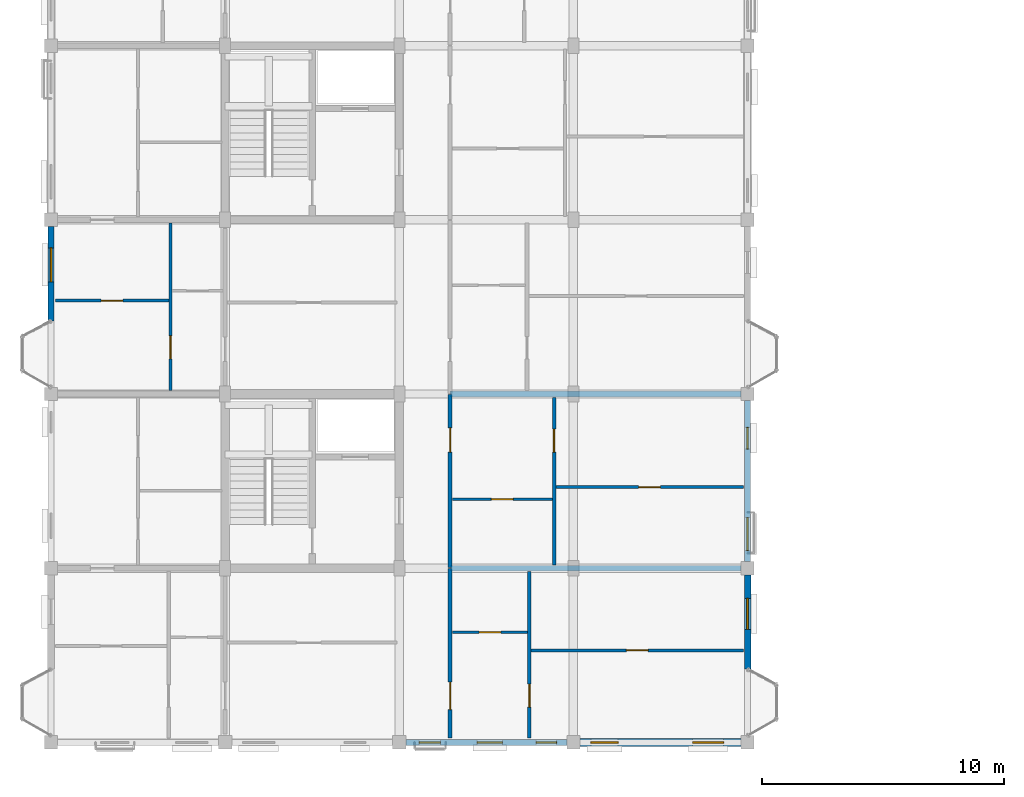
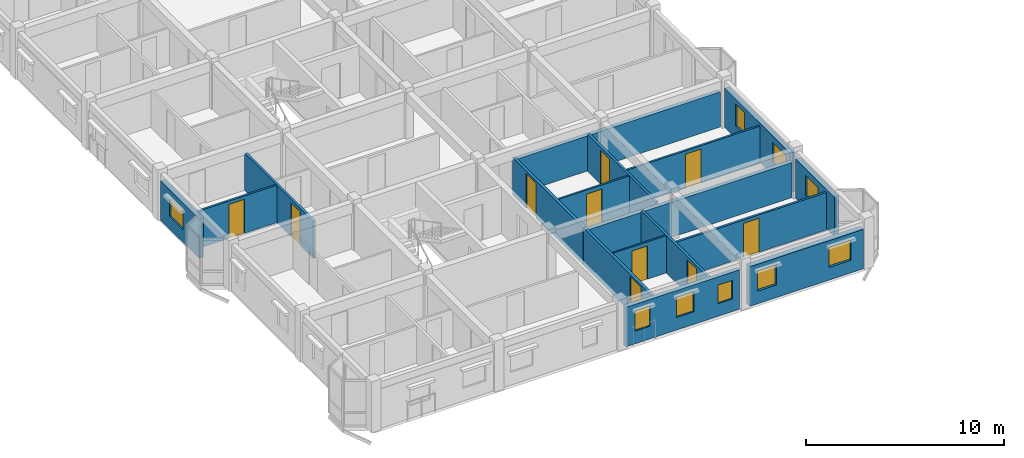
# One storey, part 51 of 79: 17 walls, 10 doors, 9 windows, 19 openings.
"""IFC4 building model written with IfcOpenShell, lengths in metres."""

import ifcopenshell
import ifcopenshell.guid

model = None  # the IFC model being written
_history = None  # IfcOwnerHistory: only IFC2X3 demands one
_inside = {}  # id of a spatial element -> (the spatial element, [elements in it])
_under = {}  # id of a project, library or spatial element -> (it, [spatial elements below it])
_declared = {}  # id of a project -> (the project, [libraries it declares])
_typed = {}  # id of a type object -> (the type object, [elements of that type])
_made_of = {}  # id of a material, layer set ... -> (it, [elements and type objects made of it])


def new_model(schema):
    """Start an empty IFC model of exactly this schema.

    Asked for "IFC4X3", IfcOpenShell would pick the latest addendum, in which some entities
    have other attributes; the version numbers below select the first issue.
    IFC2X3 requires an IfcOwnerHistory on every rooted entity: one is made here for all.
    """
    global model, _history
    if schema == "IFC4X3":
        model = ifcopenshell.file(schema_version=(4, 3, 0, 0))
    else:
        model = ifcopenshell.file(schema=schema)
    _inside.clear()
    _under.clear()
    _declared.clear()
    _typed.clear()
    _made_of.clear()
    _history = None
    if model.schema == "IFC2X3":
        org = make("IfcOrganization", Name="unknown")
        user = make(
            "IfcPersonAndOrganization",
            ThePerson=make("IfcPerson", FamilyName="unknown"),
            TheOrganization=org,
        )
        app = make(
            "IfcApplication",
            ApplicationDeveloper=org,
            Version="unknown",
            ApplicationFullName="unknown",
            ApplicationIdentifier="unknown",
        )
        _history = make(
            "IfcOwnerHistory",
            OwningUser=user,
            OwningApplication=app,
            ChangeAction="ADDED",
            CreationDate=0,
        )
    return model


def make(cls, **values):
    """One entity of the class cls with the attributes given. An attribute that is None is left unset."""
    return model.create_entity(
        cls, **{name: value for name, value in values.items() if value is not None}
    )


def rooted(cls, **values):
    """An entity with a GlobalId (a new one), such as an element, a storey or a relation."""
    return make(cls, GlobalId=ifcopenshell.guid.new(), OwnerHistory=_history, **values)


def si_unit(unit_type, name, prefix=None):
    """IfcSIUnit, for example si_unit("LENGTHUNIT", "METRE", prefix="MILLI")."""
    return make("IfcSIUnit", UnitType=unit_type, Prefix=prefix, Name=name)


def assignment(units):
    """IfcUnitAssignment: the units of a project."""
    return None if units is None else make("IfcUnitAssignment", Units=units)


def point(xyz):
    """IfcCartesianPoint."""
    return None if xyz is None else make("IfcCartesianPoint", Coordinates=xyz)


def direction(xyz):
    """IfcDirection."""
    return None if xyz is None else make("IfcDirection", DirectionRatios=xyz)


def frame(location, z_axis=None, x_axis=None):
    """IfcAxis2Placement3D, a coordinate frame: its origin and axes. An axis left out is left unset."""
    return make(
        "IfcAxis2Placement3D",
        Location=point(location),
        Axis=direction(z_axis),
        RefDirection=direction(x_axis),
    )


def frame_2d(location, x_axis=None):
    """IfcAxis2Placement2D, a coordinate frame in the plane: its origin and x axis."""
    return make(
        "IfcAxis2Placement2D", Location=point(location), RefDirection=direction(x_axis)
    )


def origin():
    """The frame at (0, 0, 0) with its axes left unset."""
    return frame((0.0, 0.0, 0.0))


def place(relative_to, where):
    """IfcLocalPlacement: puts the frame where relative to a parent placement (None: the world)."""
    return make(
        "IfcLocalPlacement", PlacementRelTo=relative_to, RelativePlacement=where
    )


def context(
    kind, dimensions, precision=None, world=None, true_north=None, identifier=None
):
    """IfcGeometricRepresentationContext, for example the 3D "Model" context."""
    return make(
        "IfcGeometricRepresentationContext",
        ContextIdentifier=identifier,
        ContextType=kind,
        CoordinateSpaceDimension=dimensions,
        Precision=precision,
        WorldCoordinateSystem=world,
        TrueNorth=true_north,
    )


def subcontext(parent, identifier, kind, view, scale=None):
    """IfcGeometricRepresentationSubContext, for example "Body" below "Model"."""
    return make(
        "IfcGeometricRepresentationSubContext",
        ContextIdentifier=identifier,
        ContextType=kind,
        ParentContext=parent,
        TargetScale=scale,
        TargetView=view,
    )


def project(units=None, contexts=None):
    """IfcProject with its units and contexts."""
    return rooted(
        "IfcProject",
        Name="project",
        RepresentationContexts=contexts,
        UnitsInContext=assignment(units),
    )


def spatial(cls, under=None, at=None, **own):
    """A site, building, storey or space (cls), placed at a placement, below another one or the project."""
    s = rooted(cls, ObjectPlacement=at, **own)
    if under is not None:
        _under.setdefault(under.id(), (under, []))[1].append(s)
    return s


def profile(cls, at=None, kind="AREA", **sizes):
    """A parametric profile (cls). Its sizes go by their IFC names, for example OverallWidth=200.0."""
    return make(cls, ProfileType=kind, Position=at, **sizes)


def rectangle(**sizes):
    """IfcRectangleProfileDef."""
    return profile("IfcRectangleProfileDef", **sizes)


def extrude(swept, where, along, depth):
    """IfcExtrudedAreaSolid: the profile swept, set in the frame where, extruded along a direction by depth."""
    return make(
        "IfcExtrudedAreaSolid",
        SweptArea=swept,
        Position=where,
        ExtrudedDirection=direction(along),
        Depth=depth,
    )


def shape(context_of_items, identifier, shape_type, items):
    """IfcShapeRepresentation: the items that make up one representation, for example the "Body"."""
    return make(
        "IfcShapeRepresentation",
        ContextOfItems=context_of_items,
        RepresentationIdentifier=identifier,
        RepresentationType=shape_type,
        Items=items,
    )


def material(Name=None, Category=None):
    """IfcMaterial."""
    return make("IfcMaterial", Name=Name, Category=Category)


def layer(
    of_material, thickness, ventilated=None, Name=None, Category=None, Priority=None
):
    """IfcMaterialLayer: one layer of a wall or slab, of a material (None: an air gap)."""
    return make(
        "IfcMaterialLayer",
        Material=of_material,
        LayerThickness=thickness,
        IsVentilated=ventilated,
        Name=Name,
        Category=Category,
        Priority=Priority,
    )


def layer_set(layers, Name=None):
    """IfcMaterialLayerSet."""
    return make("IfcMaterialLayerSet", MaterialLayers=layers, LayerSetName=Name)


def made_of(thing, what):
    """Note that an element or type object is made of a material, layer set ...; save() writes the relation."""
    if what is not None:
        _made_of.setdefault(what.id(), (what, []))[1].append(thing)
    return thing


def type_object(cls, material=None, **own):
    """A type object (cls), such as IfcWallType, which elements share."""
    return made_of(rooted(cls, **own), material)


def element(
    cls,
    number,
    at=None,
    inside=None,
    cuts=None,
    type_object=None,
    material=None,
    context=None,
    identifier="Body",
    shape_type=None,
    held_by="IfcProductDefinitionShape",
    body=None,
    shapes=None,
    **own,
):
    """One element of the class cls, such as IfcWall. Its Tag is "e" and its number.

    at: its placement. inside: the storey or other place that contains it. cuts: it is an
    opening in that element (IfcRelVoidsElement). A single representation is given by context,
    identifier, shape_type and body (its items); several are given by shapes. held_by: the class
    of the entity that holds the representations. save() writes the other relations.
    """
    e = rooted(cls, Tag="e%d" % number, ObjectPlacement=at, **own)
    if body is not None:
        shapes = [shape(context, identifier, shape_type, body)]
    if shapes is not None:
        e.Representation = make(held_by, Representations=shapes)
    if inside is not None:
        _inside.setdefault(inside.id(), (inside, []))[1].append(e)
    if cuts is not None:
        rooted(
            "IfcRelVoidsElement", RelatingBuildingElement=cuts, RelatedOpeningElement=e
        )
    if type_object is not None:
        _typed.setdefault(type_object.id(), (type_object, []))[1].append(e)
    return made_of(e, material)


def fill(opening, filler):
    """IfcRelFillsElement: the door or window that sits in an opening."""
    return rooted(
        "IfcRelFillsElement",
        RelatingOpeningElement=opening,
        RelatedBuildingElement=filler,
    )


def aggregate(whole, parts):
    """IfcRelAggregates: a whole, such as a stair, and the parts it consists of."""
    return rooted("IfcRelAggregates", RelatingObject=whole, RelatedObjects=parts)


def save(model, path):
    """Write the relations noted so far, then the file.

    IfcRelAggregates (storeys below a building ...), IfcRelContainedInSpatialStructure (elements
    in a storey), IfcRelDefinesByType, IfcRelAssociatesMaterial and IfcRelDeclares: one each for
    every whole, place, type object, material and project.
    """
    for whole, parts in _under.values():
        aggregate(whole, parts)
    for where, things in _inside.values():
        rooted(
            "IfcRelContainedInSpatialStructure",
            RelatedElements=things,
            RelatingStructure=where,
        )
    for kind, things in _typed.values():
        rooted("IfcRelDefinesByType", RelatedObjects=things, RelatingType=kind)
    for what, things in _made_of.values():
        rooted("IfcRelAssociatesMaterial", RelatedObjects=things, RelatingMaterial=what)
    for by, libraries in _declared.values():
        rooted("IfcRelDeclares", RelatingContext=by, RelatedDefinitions=libraries)
    model.write(path)


model = new_model("IFC4")

# Units and contexts
model_context = context("Model", 3, precision=1e-05, world=origin(), true_north=direction((0.0, 1.0)))
body_context = subcontext(model_context, "Body", "Model", "MODEL_VIEW")
ifc_project = project(units=[si_unit("LENGTHUNIT", "METRE"), si_unit("AREAUNIT", "SQUARE_METRE"), si_unit("VOLUMEUNIT", "CUBIC_METRE"), si_unit("PLANEANGLEUNIT", "RADIAN"), si_unit("MASSUNIT", "GRAM", prefix="KILO"), si_unit("THERMODYNAMICTEMPERATUREUNIT", "KELVIN"), si_unit("POWERUNIT", "WATT")], contexts=[model_context])

# Site, building, storey
site_placement = place(None, origin())
site = spatial("IfcSite", under=ifc_project, at=site_placement, CompositionType="ELEMENT")
building_placement = place(site_placement, origin())
building = spatial("IfcBuilding", under=site, at=building_placement, Name="Tavuni Mirador Residences", CompositionType="ELEMENT")
storey_placement = place(building_placement, frame((0.0, 0.0, 13.949951171875)))
storey = spatial("IfcBuildingStorey", under=building, at=storey_placement, Name="L04", CompositionType="ELEMENT", Elevation=13.949951171875)

# Wall, opening, door
ifc_material_1 = material(Name="Precast concrete C40/50", Category="concrete")
ifc_layer_1 = layer(ifc_material_1, 0.1650390625, Name="Precast concrete C40/50", Category="concrete")
ifc_layer_set_1 = layer_set([ifc_layer_1], Name="Precast concrete C40/50")
wall_type_1 = type_object("IfcWallType", Name="WT-CORR165", PredefinedType="PARTITIONING", material=ifc_layer_set_1)
wall_1_placement = place(storey_placement, frame((20.10009765625, 7.375, 0.0), z_axis=(0.0, 0.0, 1.0), x_axis=(0.0, 1.0, 0.0)))
wall_1 = element("IfcWall", 1, at=wall_1_placement, inside=storey, type_object=wall_type_1, Name="CORW-BLK-A-L04-0-00", PredefinedType="PARTITIONING", context=body_context, shape_type="SweptSolid", body=[
    extrude(rectangle(XDim=7.0048828125, YDim=0.1650390625, at=frame_2d((3.50244140625, 0.0))), origin(), (0.0, 0.0, 1.0), 2.304931640625),
])
opening_1_placement = place(wall_1_placement, frame((1.175048828125, 0.0, 0.0)))
opening_1 = element("IfcOpeningElement", 2, at=opening_1_placement, cuts=wall_1, Name="Opening D-20", PredefinedType="OPENING", context=body_context, shape_type="SweptSolid", body=[
    extrude(rectangle(XDim=1.139892578125, YDim=2.179931640625, at=frame_2d((0.56982421875, 1.08984375))), frame((0.0, 0.092529296875, 0.0), z_axis=(0.0, -1.0, 0.0), x_axis=(1.0, 0.0, 0.0)), (0.0, 0.0, 1.0), 0.18505859375),
])
ifc_material_2 = material(Name="Solid core iroko timber", Category="wood")
door_type_1 = type_object("IfcDoorType", Name="DT-FD60-1140", OperationType="NOTDEFINED", PredefinedType="DOOR", material=ifc_material_2)
door_1_placement = place(opening_1_placement, origin())
door_1 = element("IfcDoor", 3, at=door_1_placement, inside=storey, type_object=door_type_1, Name="DR-2423", OperationType="SINGLE_SWING_RIGHT", OverallHeight=2.179931640625, OverallWidth=1.139892578125, PredefinedType="DOOR", context=body_context, shape_type="SweptSolid", body=[
    extrude(rectangle(XDim=1.139892578125, YDim=2.179931640625, at=frame_2d((0.56982421875, 1.08984375))), frame((0.0, 0.02490234375, 0.0), z_axis=(0.0, -1.0, 0.0), x_axis=(1.0, 0.0, 0.0)), (0.0, 0.0, 1.0), 0.050048828125),
])
fill(opening_1, door_1)

wall_2_placement = place(storey_placement, frame((20.10009765625, 14.419921875, 0.0), z_axis=(0.0, 0.0, 1.0), x_axis=(0.0, 1.0, 0.0)))
wall_2 = element("IfcWall", 4, at=wall_2_placement, inside=storey, type_object=wall_type_1, Name="CORW-BLK-A-L04-0-01", PredefinedType="PARTITIONING", context=body_context, shape_type="SweptSolid", body=[
    extrude(rectangle(XDim=7.16015625, YDim=0.1650390625, at=frame_2d((3.580078125, 0.0))), origin(), (0.0, 0.0, 1.0), 2.304931640625),
])
opening_2_placement = place(wall_2_placement, frame((4.780029296875, 0.0, 0.0)))
opening_2 = element("IfcOpeningElement", 5, at=opening_2_placement, cuts=wall_2, Name="Opening D-03", PredefinedType="OPENING", context=body_context, shape_type="SweptSolid", body=[
    extrude(rectangle(XDim=1.0, YDim=2.14990234375, at=frame_2d((0.5, 1.074951171875))), frame((0.0, 0.092529296875, 0.0), z_axis=(0.0, -1.0, 0.0), x_axis=(1.0, 0.0, 0.0)), (0.0, 0.0, 1.0), 0.18505859375),
])
door_type_2 = type_object("IfcDoorType", Name="DT-FD60-1000", OperationType="NOTDEFINED", PredefinedType="DOOR", material=ifc_material_2)
door_2_placement = place(opening_2_placement, origin())
door_2 = element("IfcDoor", 6, at=door_2_placement, inside=storey, type_object=door_type_2, Name="DR-2424", OperationType="SINGLE_SWING_LEFT", OverallHeight=2.14990234375, OverallWidth=1.0, PredefinedType="DOOR", context=body_context, shape_type="SweptSolid", body=[
    extrude(rectangle(XDim=1.0, YDim=2.14990234375, at=frame_2d((0.5, 1.074951171875))), frame((0.0, 0.02490234375, 0.0), z_axis=(0.0, -1.0, 0.0), x_axis=(1.0, 0.0, 0.0)), (0.0, 0.0, 1.0), 0.050048828125),
])
fill(opening_2, door_2)

# Wall, openings, windows
ifc_layer_2 = layer(ifc_material_1, 0.330078125, Name="Precast concrete C40/50", Category="concrete")
ifc_layer_set_2 = layer_set([ifc_layer_2], Name="Precast concrete C40/50")
wall_type_2 = type_object("IfcWallType", Name="WT-EXT-COR330", PredefinedType="SOLIDWALL", material=ifc_layer_set_2)
wall_3_placement = place(storey_placement, frame((25.47509765625, 7.199951171875, 0.0), z_axis=(0.0, 0.0, 1.0), x_axis=(1.0, 0.0, 0.0)))
wall_3 = element("IfcWall", 7, at=wall_3_placement, inside=storey, type_object=wall_type_2, Name="EW-BLK-A-L04-S03", PredefinedType="SOLIDWALL", context=body_context, shape_type="SweptSolid", body=[
    extrude(rectangle(XDim=6.64990234375, YDim=0.330078125, at=frame_2d((3.324951171875, 0.0))), origin(), (0.0, 0.0, 1.0), 2.43994140625),
])
opening_3_placement = place(wall_3_placement, frame((0.449951171875, 0.0, 0.780029296875)))
opening_3 = element("IfcOpeningElement", 8, at=opening_3_placement, cuts=wall_3, Name="Opening WN-12", PredefinedType="OPENING", context=body_context, shape_type="SweptSolid", body=[
    extrude(rectangle(XDim=1.1201171875, YDim=1.260009765625, at=frame_2d((0.56005859375, 0.6298828125))), frame((0.0, 0.175048828125, 0.0), z_axis=(0.0, -1.0, 0.0), x_axis=(1.0, 0.0, 0.0)), (0.0, 0.0, 1.0), 0.35009765625),
])
opening_4_placement = place(wall_3_placement, frame((4.64990234375, 0.0, 0.780029296875)))
opening_4 = element("IfcOpeningElement", 9, at=opening_4_placement, cuts=wall_3, Name="Opening WN-14", PredefinedType="OPENING", context=body_context, shape_type="SweptSolid", body=[
    extrude(rectangle(XDim=1.280029296875, YDim=1.260009765625, at=frame_2d((0.64013671875, 0.6298828125))), frame((0.0, 0.175048828125, 0.0), z_axis=(0.0, -1.0, 0.0), x_axis=(1.0, 0.0, 0.0)), (0.0, 0.0, 1.0), 0.35009765625),
])
ifc_material_3 = material(Name="Laminated solar-control glass", Category="glass")
window_type_1 = type_object("IfcWindowType", Name="WNT-12", PartitioningType="SINGLE_PANEL", PredefinedType="WINDOW", material=ifc_material_3)
window_1_placement = place(opening_3_placement, origin())
window_1 = element("IfcWindow", 10, at=window_1_placement, inside=storey, type_object=window_type_1, Name="WIN-0157", OverallHeight=1.260009765625, OverallWidth=1.1201171875, PartitioningType="SINGLE_PANEL", PredefinedType="WINDOW", context=body_context, shape_type="SweptSolid", body=[
    extrude(rectangle(XDim=1.1201171875, YDim=1.260009765625, at=frame_2d((0.56005859375, 0.6298828125))), frame((0.0, 0.030029296875, 0.0), z_axis=(0.0, -1.0, 0.0), x_axis=(1.0, 0.0, 0.0)), (0.0, 0.0, 1.0), 0.06005859375),
])
fill(opening_3, window_1)
window_type_2 = type_object("IfcWindowType", Name="WNT-14", PartitioningType="SINGLE_PANEL", PredefinedType="WINDOW", material=ifc_material_3)
window_2_placement = place(opening_4_placement, origin())
window_2 = element("IfcWindow", 11, at=window_2_placement, inside=storey, type_object=window_type_2, Name="WIN-0158", OverallHeight=1.260009765625, OverallWidth=1.280029296875, PartitioningType="SINGLE_PANEL", PredefinedType="WINDOW", context=body_context, shape_type="SweptSolid", body=[
    extrude(rectangle(XDim=1.280029296875, YDim=1.260009765625, at=frame_2d((0.64013671875, 0.6298828125))), frame((0.0, 0.030029296875, 0.0), z_axis=(0.0, -1.0, 0.0), x_axis=(1.0, 0.0, 0.0)), (0.0, 0.0, 1.0), 0.06005859375),
])
fill(opening_4, window_2)

ifc_material_4 = material(Name="Sgraffito lime-rendered precast concrete C40/50", Category="concrete")
ifc_layer_3 = layer(ifc_material_4, 0.2451171875, Name="Sgraffito lime-rendered precast concrete C40/50", Category="concrete")
ifc_layer_set_3 = layer_set([ifc_layer_3], Name="Sgraffito lime-rendered precast concrete C40/50")
wall_type_3 = type_object("IfcWallType", Name="WT-EXT-PC245", PredefinedType="SOLIDWALL", material=ifc_layer_set_3)
wall_4_placement = place(storey_placement, frame((18.27490234375, 7.199951171875, 0.0), z_axis=(0.0, 0.0, 1.0), x_axis=(1.0, 0.0, 0.0)))
wall_4 = element("IfcWall", 12, at=wall_4_placement, inside=storey, type_object=wall_type_3, Name="EW-BLK-A-L04-S02", PredefinedType="SOLIDWALL", context=body_context, shape_type="SweptSolid", body=[
    extrude(rectangle(XDim=6.650146484375, YDim=0.2451171875, at=frame_2d((3.3251953125, 0.0))), origin(), (0.0, 0.0, 1.0), 2.43994140625),
])
opening_5_placement = place(wall_4_placement, frame((0.54248046875, 0.0, 0.780029296875)))
opening_5 = element("IfcOpeningElement", 13, at=opening_5_placement, cuts=wall_4, Name="Opening WN-09", PredefinedType="OPENING", context=body_context, shape_type="SweptSolid", body=[
    extrude(rectangle(XDim=0.8798828125, YDim=1.260009765625, at=frame_2d((0.43994140625, 0.6298828125))), frame((0.0, 0.132568359375, 0.0), z_axis=(0.0, -1.0, 0.0), x_axis=(1.0, 0.0, 0.0)), (0.0, 0.0, 1.0), 0.26513671875),
])
opening_6_placement = place(wall_4_placement, frame((2.945068359375, 0.0, 0.780029296875)))
opening_6 = element("IfcOpeningElement", 14, at=opening_6_placement, cuts=wall_4, Name="Opening WN-11", PredefinedType="OPENING", context=body_context, shape_type="SweptSolid", body=[
    extrude(rectangle(XDim=1.0400390625, YDim=1.260009765625, at=frame_2d((0.52001953125, 0.6298828125))), frame((0.0, 0.132568359375, 0.0), z_axis=(0.0, -1.0, 0.0), x_axis=(1.0, 0.0, 0.0)), (0.0, 0.0, 1.0), 0.26513671875),
])
opening_7_placement = place(wall_4_placement, frame((5.382568359375, 0.0, 0.780029296875)))
opening_7 = element("IfcOpeningElement", 15, at=opening_7_placement, cuts=wall_4, Name="Opening WN-01", PredefinedType="OPENING", context=body_context, shape_type="SweptSolid", body=[
    extrude(rectangle(XDim=0.85009765625, YDim=1.14990234375, at=frame_2d((0.425048828125, 0.574951171875))), frame((0.0, 0.132568359375, 0.0), z_axis=(0.0, -1.0, 0.0), x_axis=(1.0, 0.0, 0.0)), (0.0, 0.0, 1.0), 0.26513671875),
])
window_type_3 = type_object("IfcWindowType", Name="WNT-01", PartitioningType="SINGLE_PANEL", PredefinedType="WINDOW", material=ifc_material_3)
window_3_placement = place(opening_7_placement, origin())
window_3 = element("IfcWindow", 16, at=window_3_placement, inside=storey, type_object=window_type_3, Name="WIN-0156", OverallHeight=1.14990234375, OverallWidth=0.85009765625, PartitioningType="SINGLE_PANEL", PredefinedType="WINDOW", context=body_context, shape_type="SweptSolid", body=[
    extrude(rectangle(XDim=0.85009765625, YDim=1.14990234375, at=frame_2d((0.425048828125, 0.574951171875))), frame((0.0, 0.030029296875, 0.0), z_axis=(0.0, -1.0, 0.0), x_axis=(1.0, 0.0, 0.0)), (0.0, 0.0, 1.0), 0.06005859375),
])
fill(opening_7, window_3)
window_type_4 = type_object("IfcWindowType", Name="WNT-09", PartitioningType="SINGLE_PANEL", PredefinedType="WINDOW", material=ifc_material_3)
window_4_placement = place(opening_5_placement, origin())
window_4 = element("IfcWindow", 17, at=window_4_placement, inside=storey, type_object=window_type_4, Name="WIN-0154", OverallHeight=1.260009765625, OverallWidth=0.8798828125, PartitioningType="SINGLE_PANEL", PredefinedType="WINDOW", context=body_context, shape_type="SweptSolid", body=[
    extrude(rectangle(XDim=0.8798828125, YDim=1.260009765625, at=frame_2d((0.43994140625, 0.6298828125))), frame((0.0, 0.030029296875, 0.0), z_axis=(0.0, -1.0, 0.0), x_axis=(1.0, 0.0, 0.0)), (0.0, 0.0, 1.0), 0.06005859375),
])
fill(opening_5, window_4)
window_type_5 = type_object("IfcWindowType", Name="WNT-11", PartitioningType="SINGLE_PANEL", PredefinedType="WINDOW", material=ifc_material_3)
window_5_placement = place(opening_6_placement, origin())
window_5 = element("IfcWindow", 18, at=window_5_placement, inside=storey, type_object=window_type_5, Name="WIN-0155", OverallHeight=1.260009765625, OverallWidth=1.0400390625, PartitioningType="SINGLE_PANEL", PredefinedType="WINDOW", context=body_context, shape_type="SweptSolid", body=[
    extrude(rectangle(XDim=1.0400390625, YDim=1.260009765625, at=frame_2d((0.52001953125, 0.6298828125))), frame((0.0, 0.030029296875, 0.0), z_axis=(0.0, -1.0, 0.0), x_axis=(1.0, 0.0, 0.0)), (0.0, 0.0, 1.0), 0.06005859375),
])
fill(opening_6, window_5)

# Wall, opening, window
wall_5_placement = place(storey_placement, frame((3.60009765625, 28.52490234375, 0.0), z_axis=(0.0, 0.0, 1.0), x_axis=(0.0, -1.0, 0.0)))
wall_5 = element("IfcWall", 19, at=wall_5_placement, inside=storey, type_object=wall_type_3, Name="EW-BLK-A-L04-W02", PredefinedType="SOLIDWALL", context=body_context, shape_type="SweptSolid", body=[
    extrude(rectangle(XDim=3.90478515625, YDim=0.2451171875, at=frame_2d((1.952392578125, 0.0))), origin(), (0.0, 0.0, 1.0), 2.43994140625),
])
opening_8_placement = place(wall_5_placement, frame((0.887451171875, 0.0, 0.780029296875)))
opening_8 = element("IfcOpeningElement", 20, at=opening_8_placement, cuts=wall_5, Name="Opening WN-08", PredefinedType="OPENING", context=body_context, shape_type="SweptSolid", body=[
    extrude(rectangle(XDim=1.39990234375, YDim=1.14990234375, at=frame_2d((0.699951171875, 0.574951171875))), frame((0.0, 0.132568359375, 0.0), z_axis=(0.0, -1.0, 0.0), x_axis=(1.0, 0.0, 0.0)), (0.0, 0.0, 1.0), 0.26513671875),
])
window_type_6 = type_object("IfcWindowType", Name="WNT-08", PartitioningType="SINGLE_PANEL", PredefinedType="WINDOW", material=ifc_material_3)
window_6_placement = place(opening_8_placement, origin())
window_6 = element("IfcWindow", 21, at=window_6_placement, inside=storey, type_object=window_type_6, Name="WIN-0183", OverallHeight=1.14990234375, OverallWidth=1.39990234375, PartitioningType="SINGLE_PANEL", PredefinedType="WINDOW", context=body_context, shape_type="SweptSolid", body=[
    extrude(rectangle(XDim=1.39990234375, YDim=1.14990234375, at=frame_2d((0.699951171875, 0.574951171875))), frame((0.0, 0.030029296875, 0.0), z_axis=(0.0, -1.0, 0.0), x_axis=(1.0, 0.0, 0.0)), (0.0, 0.0, 1.0), 0.06005859375),
])
fill(opening_8, window_6)

# Wall, openings, windows
ifc_layer_4 = layer(ifc_material_4, 0.2548828125, Name="Sgraffito lime-rendered precast concrete C40/50", Category="concrete")
ifc_layer_set_4 = layer_set([ifc_layer_4], Name="Sgraffito lime-rendered precast concrete C40/50")
wall_type_4 = type_object("IfcWallType", Name="WT-EXT-PC255", PredefinedType="SOLIDWALL", material=ifc_layer_set_4)
wall_6_placement = place(storey_placement, frame((32.39990234375, 14.675048828125, 0.0), z_axis=(0.0, 0.0, 1.0), x_axis=(0.0, 1.0, 0.0)))
wall_6 = element("IfcWall", 22, at=wall_6_placement, inside=storey, type_object=wall_type_4, Name="EW-BLK-A-L04-E01", PredefinedType="SOLIDWALL", context=body_context, shape_type="SweptSolid", body=[
    extrude(rectangle(XDim=6.64990234375, YDim=0.2548828125, at=frame_2d((3.324951171875, 0.0))), origin(), (0.0, 0.0, 1.0), 2.43994140625),
])
opening_9_placement = place(wall_6_placement, frame((0.449951171875, 0.0, 0.780029296875)))
opening_9 = element("IfcOpeningElement", 23, at=opening_9_placement, cuts=wall_6, Name="Opening WN-15", PredefinedType="OPENING", context=body_context, shape_type="SweptSolid", body=[
    extrude(rectangle(XDim=1.360107421875, YDim=1.260009765625, at=frame_2d((0.68017578125, 0.6298828125))), frame((0.0, 0.137451171875, 0.0), z_axis=(0.0, -1.0, 0.0), x_axis=(1.0, 0.0, 0.0)), (0.0, 0.0, 1.0), 0.27490234375),
])
opening_10_placement = place(wall_6_placement, frame((4.64990234375, 0.0, 0.780029296875)))
opening_10 = element("IfcOpeningElement", 24, at=opening_10_placement, cuts=wall_6, Name="Opening WN-17", PredefinedType="OPENING", context=body_context, shape_type="SweptSolid", body=[
    extrude(rectangle(XDim=0.89990234375, YDim=1.360107421875, at=frame_2d((0.449951171875, 0.68017578125))), frame((0.0, 0.137451171875, 0.0), z_axis=(0.0, -1.0, 0.0), x_axis=(1.0, 0.0, 0.0)), (0.0, 0.0, 1.0), 0.27490234375),
])
window_type_7 = type_object("IfcWindowType", Name="WNT-15", PartitioningType="SINGLE_PANEL", PredefinedType="WINDOW", material=ifc_material_3)
window_7_placement = place(opening_9_placement, origin())
window_7 = element("IfcWindow", 25, at=window_7_placement, inside=storey, type_object=window_type_7, Name="WIN-0160", OverallHeight=1.260009765625, OverallWidth=1.360107421875, PartitioningType="SINGLE_PANEL", PredefinedType="WINDOW", context=body_context, shape_type="SweptSolid", body=[
    extrude(rectangle(XDim=1.360107421875, YDim=1.260009765625, at=frame_2d((0.68017578125, 0.6298828125))), frame((0.0, 0.030029296875, 0.0), z_axis=(0.0, -1.0, 0.0), x_axis=(1.0, 0.0, 0.0)), (0.0, 0.0, 1.0), 0.06005859375),
])
fill(opening_9, window_7)
window_type_8 = type_object("IfcWindowType", Name="WNT-17", PartitioningType="SINGLE_PANEL", PredefinedType="WINDOW", material=ifc_material_3)
window_8_placement = place(opening_10_placement, origin())
window_8 = element("IfcWindow", 26, at=window_8_placement, inside=storey, type_object=window_type_8, Name="WIN-0161", OverallHeight=1.360107421875, OverallWidth=0.89990234375, PartitioningType="SINGLE_PANEL", PredefinedType="WINDOW", context=body_context, shape_type="SweptSolid", body=[
    extrude(rectangle(XDim=0.89990234375, YDim=1.360107421875, at=frame_2d((0.449951171875, 0.68017578125))), frame((0.0, 0.030029296875, 0.0), z_axis=(0.0, -1.0, 0.0), x_axis=(1.0, 0.0, 0.0)), (0.0, 0.0, 1.0), 0.06005859375),
])
fill(opening_10, window_8)

# Wall, opening, window
ifc_layer_5 = layer(ifc_material_4, 0.27490234375, Name="Sgraffito lime-rendered precast concrete C40/50", Category="concrete")
ifc_layer_set_5 = layer_set([ifc_layer_5], Name="Sgraffito lime-rendered precast concrete C40/50")
wall_type_5 = type_object("IfcWallType", Name="WT-EXT-PC275", PredefinedType="SOLIDWALL", material=ifc_layer_set_5)
wall_7_placement = place(storey_placement, frame((32.39990234375, 10.219970703125, 0.0), z_axis=(0.0, 0.0, 1.0), x_axis=(0.0, 1.0, 0.0)))
wall_7 = element("IfcWall", 27, at=wall_7_placement, inside=storey, type_object=wall_type_5, Name="EW-BLK-A-L04-E00", PredefinedType="SOLIDWALL", context=body_context, shape_type="SweptSolid", body=[
    extrude(rectangle(XDim=3.905029296875, YDim=0.27490234375, at=frame_2d((1.95263671875, 0.0))), origin(), (0.0, 0.0, 1.0), 2.43994140625),
])
opening_11_placement = place(wall_7_placement, frame((1.6474609375, 0.0, 0.780029296875)))
opening_11 = element("IfcOpeningElement", 28, at=opening_11_placement, cuts=wall_7, Name="Opening WN-14", PredefinedType="OPENING", context=body_context, shape_type="SweptSolid", body=[
    extrude(rectangle(XDim=1.280029296875, YDim=1.260009765625, at=frame_2d((0.64013671875, 0.6298828125))), frame((0.0, 0.1474609375, 0.0), z_axis=(0.0, -1.0, 0.0), x_axis=(1.0, 0.0, 0.0)), (0.0, 0.0, 1.0), 0.294921875),
])
window_9_placement = place(opening_11_placement, origin())
window_9 = element("IfcWindow", 29, at=window_9_placement, inside=storey, type_object=window_type_2, Name="WIN-0159", OverallHeight=1.260009765625, OverallWidth=1.280029296875, PartitioningType="SINGLE_PANEL", PredefinedType="WINDOW", context=body_context, shape_type="SweptSolid", body=[
    extrude(rectangle(XDim=1.280029296875, YDim=1.260009765625, at=frame_2d((0.64013671875, 0.6298828125))), frame((0.0, 0.030029296875, 0.0), z_axis=(0.0, -1.0, 0.0), x_axis=(1.0, 0.0, 0.0)), (0.0, 0.0, 1.0), 0.06005859375),
])
fill(opening_11, window_9)

# Wall, opening, door
ifc_material_5 = material(Name="Acoustic gypsum and concrete block partition", Category="concrete")
ifc_layer_6 = layer(ifc_material_5, 0.094970703125, Name="Acoustic gypsum and concrete block partition", Category="concrete")
ifc_layer_set_6 = layer_set([ifc_layer_6], Name="Acoustic gypsum and concrete block partition")
wall_type_6 = type_object("IfcWallType", Name="WT-PART095", PredefinedType="PARTITIONING", material=ifc_layer_set_6)
wall_8_placement = place(storey_placement, frame((20.18994140625, 11.75, 0.0), z_axis=(0.0, 0.0, 1.0), x_axis=(1.0, 0.0, 0.0)))
wall_8 = element("IfcWall", 30, at=wall_8_placement, inside=storey, type_object=wall_type_6, Name="PW-BLK-A-L04-E00-IN1", PredefinedType="PARTITIONING", context=body_context, shape_type="SweptSolid", body=[
    extrude(rectangle(XDim=3.1201171875, YDim=0.094970703125, at=frame_2d((1.56005859375, 0.0))), origin(), (0.0, 0.0, 1.0), 2.304931640625),
])
opening_12_placement = place(wall_8_placement, frame((1.110107421875, 0.0, 0.0)))
opening_12 = element("IfcOpeningElement", 31, at=opening_12_placement, cuts=wall_8, Name="Opening D-09", PredefinedType="OPENING", context=body_context, shape_type="SweptSolid", body=[
    extrude(rectangle(XDim=0.89990234375, YDim=2.050048828125, at=frame_2d((0.449951171875, 1.02490234375))), frame((0.0, 0.0576171875, 0.0), z_axis=(0.0, -1.0, 0.0), x_axis=(1.0, 0.0, 0.0)), (0.0, 0.0, 1.0), 0.114990234375),
])
door_type_3 = type_object("IfcDoorType", Name="DT-WC900", OperationType="NOTDEFINED", PredefinedType="DOOR", material=ifc_material_2)
door_3_placement = place(opening_12_placement, origin())
door_3 = element("IfcDoor", 32, at=door_3_placement, inside=storey, type_object=door_type_3, Name="DR-3067", OperationType="SINGLE_SWING_RIGHT", OverallHeight=2.050048828125, OverallWidth=0.89990234375, PredefinedType="DOOR", context=body_context, shape_type="SweptSolid", body=[
    extrude(rectangle(XDim=0.89990234375, YDim=2.050048828125, at=frame_2d((0.449951171875, 1.02490234375))), frame((0.0, 0.02490234375, 0.0), z_axis=(0.0, -1.0, 0.0), x_axis=(1.0, 0.0, 0.0)), (0.0, 0.0, 1.0), 0.050048828125),
])
fill(opening_12, door_3)

ifc_layer_7 = layer(ifc_material_5, 0.10498046875, Name="Acoustic gypsum and concrete block partition", Category="concrete")
ifc_layer_set_7 = layer_set([ifc_layer_7], Name="Acoustic gypsum and concrete block partition")
wall_type_7 = type_object("IfcWallType", Name="WT-PART105", PredefinedType="PARTITIONING", material=ifc_layer_set_7)
wall_9_placement = place(storey_placement, frame((20.18994140625, 17.25, 0.0), z_axis=(0.0, 0.0, 1.0), x_axis=(1.0, 0.0, 0.0)))
wall_9 = element("IfcWall", 33, at=wall_9_placement, inside=storey, type_object=wall_type_7, Name="PW-BLK-A-L04-E01-IN1", PredefinedType="PARTITIONING", context=body_context, shape_type="SweptSolid", body=[
    extrude(rectangle(XDim=4.14013671875, YDim=0.10498046875, at=frame_2d((2.070068359375, 0.0))), origin(), (0.0, 0.0, 1.0), 2.304931640625),
])
opening_13_placement = place(wall_9_placement, frame((1.6201171875, 0.0, 0.0)))
opening_13 = element("IfcOpeningElement", 34, at=opening_13_placement, cuts=wall_9, Name="Opening D-09", PredefinedType="OPENING", context=body_context, shape_type="SweptSolid", body=[
    extrude(rectangle(XDim=0.89990234375, YDim=2.050048828125, at=frame_2d((0.449951171875, 1.02490234375))), frame((0.0, 0.0625, 0.0), z_axis=(0.0, -1.0, 0.0), x_axis=(1.0, 0.0, 0.0)), (0.0, 0.0, 1.0), 0.125),
])
door_4_placement = place(opening_13_placement, origin())
door_4 = element("IfcDoor", 35, at=door_4_placement, inside=storey, type_object=door_type_3, Name="DR-3072", OperationType="SINGLE_SWING_RIGHT", OverallHeight=2.050048828125, OverallWidth=0.89990234375, PredefinedType="DOOR", context=body_context, shape_type="SweptSolid", body=[
    extrude(rectangle(XDim=0.89990234375, YDim=2.050048828125, at=frame_2d((0.449951171875, 1.02490234375))), frame((0.0, 0.02490234375, 0.0), z_axis=(0.0, -1.0, 0.0), x_axis=(1.0, 0.0, 0.0)), (0.0, 0.0, 1.0), 0.050048828125),
])
fill(opening_13, door_4)

ifc_layer_8 = layer(ifc_material_5, 0.114990234375, Name="Acoustic gypsum and concrete block partition", Category="concrete")
ifc_layer_set_8 = layer_set([ifc_layer_8], Name="Acoustic gypsum and concrete block partition")
wall_type_8 = type_object("IfcWallType", Name="WT-PART115", PredefinedType="PARTITIONING", material=ifc_layer_set_8)
wall_10_placement = place(storey_placement, frame((24.469970703125, 17.75, 0.0), z_axis=(0.0, 0.0, 1.0), x_axis=(1.0, 0.0, 0.0)))
wall_10 = element("IfcWall", 36, at=wall_10_placement, inside=storey, type_object=wall_type_8, Name="PW-BLK-A-L04-E01-OUT", PredefinedType="PARTITIONING", context=body_context, shape_type="SweptSolid", body=[
    extrude(rectangle(XDim=7.755126953125, YDim=0.114990234375, at=frame_2d((3.87744140625, 0.0))), origin(), (0.0, 0.0, 1.0), 2.304931640625),
])
opening_14_placement = place(wall_10_placement, frame((3.427490234375, 0.0, 0.0)))
opening_14 = element("IfcOpeningElement", 37, at=opening_14_placement, cuts=wall_10, Name="Opening D-07", PredefinedType="OPENING", context=body_context, shape_type="SweptSolid", body=[
    extrude(rectangle(XDim=0.89990234375, YDim=2.10009765625, at=frame_2d((0.449951171875, 1.050048828125))), frame((0.0, 0.0673828125, 0.0), z_axis=(0.0, -1.0, 0.0), x_axis=(1.0, 0.0, 0.0)), (0.0, 0.0, 1.0), 0.135009765625),
])
door_type_4 = type_object("IfcDoorType", Name="DT-BED900", OperationType="NOTDEFINED", PredefinedType="DOOR", material=ifc_material_2)
door_5_placement = place(opening_14_placement, origin())
door_5 = element("IfcDoor", 38, at=door_5_placement, inside=storey, type_object=door_type_4, Name="DR-3071", OperationType="SINGLE_SWING_LEFT", OverallHeight=2.10009765625, OverallWidth=0.89990234375, PredefinedType="DOOR", context=body_context, shape_type="SweptSolid", body=[
    extrude(rectangle(XDim=0.89990234375, YDim=2.10009765625, at=frame_2d((0.449951171875, 1.050048828125))), frame((0.0, 0.02490234375, 0.0), z_axis=(0.0, -1.0, 0.0), x_axis=(1.0, 0.0, 0.0)), (0.0, 0.0, 1.0), 0.050048828125),
])
fill(opening_14, door_5)

wall_11_placement = place(storey_placement, frame((3.77490234375, 25.4599609375, 0.0), z_axis=(0.0, 0.0, 1.0), x_axis=(1.0, 0.0, 0.0)))
wall_11 = element("IfcWall", 39, at=wall_11_placement, inside=storey, type_object=wall_type_8, Name="PW-BLK-A-L04-W02-OUT", PredefinedType="PARTITIONING", context=body_context, shape_type="SweptSolid", body=[
    extrude(rectangle(XDim=4.695068359375, YDim=0.114990234375, at=frame_2d((2.34765625, 0.0))), origin(), (0.0, 0.0, 1.0), 2.304931640625),
])
opening_15_placement = place(wall_11_placement, frame((1.8974609375, 0.0, 0.0)))
opening_15 = element("IfcOpeningElement", 40, at=opening_15_placement, cuts=wall_11, Name="Opening D-07", PredefinedType="OPENING", context=body_context, shape_type="SweptSolid", body=[
    extrude(rectangle(XDim=0.89990234375, YDim=2.10009765625, at=frame_2d((0.449951171875, 1.050048828125))), frame((0.0, 0.0673828125, 0.0), z_axis=(0.0, -1.0, 0.0), x_axis=(1.0, 0.0, 0.0)), (0.0, 0.0, 1.0), 0.135009765625),
])
door_6_placement = place(opening_15_placement, origin())
door_6 = element("IfcDoor", 41, at=door_6_placement, inside=storey, type_object=door_type_4, Name="DR-3075", OperationType="SINGLE_SWING_LEFT", OverallHeight=2.10009765625, OverallWidth=0.89990234375, PredefinedType="DOOR", context=body_context, shape_type="SweptSolid", body=[
    extrude(rectangle(XDim=0.89990234375, YDim=2.10009765625, at=frame_2d((0.449951171875, 1.050048828125))), frame((0.0, 0.02490234375, 0.0), z_axis=(0.0, -1.0, 0.0), x_axis=(1.0, 0.0, 0.0)), (0.0, 0.0, 1.0), 0.050048828125),
])
fill(opening_15, door_6)

ifc_layer_9 = layer(ifc_material_5, 0.125, Name="Acoustic gypsum and concrete block partition", Category="concrete")
ifc_layer_set_9 = layer_set([ifc_layer_9], Name="Acoustic gypsum and concrete block partition")
wall_type_9 = type_object("IfcWallType", Name="WT-PART125", PredefinedType="PARTITIONING", material=ifc_layer_set_9)
wall_12_placement = place(storey_placement, frame((23.449951171875, 11.0, 0.0), z_axis=(0.0, 0.0, 1.0), x_axis=(1.0, 0.0, 0.0)))
wall_12 = element("IfcWall", 42, at=wall_12_placement, inside=storey, type_object=wall_type_9, Name="PW-BLK-A-L04-E00-OUT", PredefinedType="PARTITIONING", context=body_context, shape_type="SweptSolid", body=[
    extrude(rectangle(XDim=8.775146484375, YDim=0.125, at=frame_2d((4.3876953125, 0.0))), origin(), (0.0, 0.0, 1.0), 2.304931640625),
])
opening_16_placement = place(wall_12_placement, frame((3.9375, 0.0, 0.0)))
opening_16 = element("IfcOpeningElement", 43, at=opening_16_placement, cuts=wall_12, Name="Opening D-07", PredefinedType="OPENING", context=body_context, shape_type="SweptSolid", body=[
    extrude(rectangle(XDim=0.89990234375, YDim=2.10009765625, at=frame_2d((0.449951171875, 1.050048828125))), frame((0.0, 0.072509765625, 0.0), z_axis=(0.0, -1.0, 0.0), x_axis=(1.0, 0.0, 0.0)), (0.0, 0.0, 1.0), 0.14501953125),
])
door_7_placement = place(opening_16_placement, origin())
door_7 = element("IfcDoor", 44, at=door_7_placement, inside=storey, type_object=door_type_4, Name="DR-3066", OperationType="SINGLE_SWING_LEFT", OverallHeight=2.10009765625, OverallWidth=0.89990234375, PredefinedType="DOOR", context=body_context, shape_type="SweptSolid", body=[
    extrude(rectangle(XDim=0.89990234375, YDim=2.10009765625, at=frame_2d((0.449951171875, 1.050048828125))), frame((0.0, 0.02490234375, 0.0), z_axis=(0.0, -1.0, 0.0), x_axis=(1.0, 0.0, 0.0)), (0.0, 0.0, 1.0), 0.050048828125),
])
fill(opening_16, door_7)

ifc_layer_10 = layer(ifc_material_5, 0.139892578125, Name="Acoustic gypsum and concrete block partition", Category="concrete")
ifc_layer_set_10 = layer_set([ifc_layer_10], Name="Acoustic gypsum and concrete block partition")
wall_type_10 = type_object("IfcWallType", Name="WT-PART140", PredefinedType="PARTITIONING", material=ifc_layer_set_10)
wall_13_placement = place(storey_placement, frame((24.39990234375, 14.5400390625, 0.0), z_axis=(0.0, 0.0, 1.0), x_axis=(0.0, 1.0, 0.0)))
wall_13 = element("IfcWall", 45, at=wall_13_placement, inside=storey, type_object=wall_type_10, Name="PW-BLK-A-L04-E01-MID", PredefinedType="PARTITIONING", context=body_context, shape_type="SweptSolid", body=[
    extrude(rectangle(XDim=6.919921875, YDim=0.139892578125, at=frame_2d((3.4599609375, 0.0))), origin(), (0.0, 0.0, 1.0), 2.304931640625),
])
opening_17_placement = place(wall_13_placement, frame((4.659912109375, 0.0, 0.0)))
opening_17 = element("IfcOpeningElement", 46, at=opening_17_placement, cuts=wall_13, Name="Opening D-05", PredefinedType="OPENING", context=body_context, shape_type="SweptSolid", body=[
    extrude(rectangle(XDim=0.949951171875, YDim=2.10009765625, at=frame_2d((0.47509765625, 1.050048828125))), frame((0.0, 0.080078125, 0.0), z_axis=(0.0, -1.0, 0.0), x_axis=(1.0, 0.0, 0.0)), (0.0, 0.0, 1.0), 0.159912109375),
])
door_type_5 = type_object("IfcDoorType", Name="DT-INT950", OperationType="NOTDEFINED", PredefinedType="DOOR", material=ifc_material_2)
door_8_placement = place(opening_17_placement, origin())
door_8 = element("IfcDoor", 47, at=door_8_placement, inside=storey, type_object=door_type_5, Name="DR-3073", OperationType="SINGLE_SWING_LEFT", OverallHeight=2.10009765625, OverallWidth=0.949951171875, PredefinedType="DOOR", context=body_context, shape_type="SweptSolid", body=[
    extrude(rectangle(XDim=0.949951171875, YDim=2.10009765625, at=frame_2d((0.47509765625, 1.050048828125))), frame((0.0, 0.02490234375, 0.0), z_axis=(0.0, -1.0, 0.0), x_axis=(1.0, 0.0, 0.0)), (0.0, 0.0, 1.0), 0.050048828125),
])
fill(opening_17, door_8)

wall_14_placement = place(storey_placement, frame((8.5400390625, 21.739990234375, 0.0), z_axis=(0.0, 0.0, 1.0), x_axis=(0.0, 1.0, 0.0)))
wall_14 = element("IfcWall", 48, at=wall_14_placement, inside=storey, type_object=wall_type_10, Name="PW-BLK-A-L04-W02-MID", PredefinedType="PARTITIONING", context=body_context, shape_type="SweptSolid", body=[
    extrude(rectangle(XDim=6.919921875, YDim=0.139892578125, at=frame_2d((3.4599609375, 0.0))), origin(), (0.0, 0.0, 1.0), 2.304931640625),
])
opening_18_placement = place(wall_14_placement, frame((1.31005859375, 0.0, 0.0)))
opening_18 = element("IfcOpeningElement", 49, at=opening_18_placement, cuts=wall_14, Name="Opening D-05", PredefinedType="OPENING", context=body_context, shape_type="SweptSolid", body=[
    extrude(rectangle(XDim=0.949951171875, YDim=2.10009765625, at=frame_2d((0.47509765625, 1.050048828125))), frame((0.0, 0.080078125, 0.0), z_axis=(0.0, -1.0, 0.0), x_axis=(1.0, 0.0, 0.0)), (0.0, 0.0, 1.0), 0.159912109375),
])
door_9_placement = place(opening_18_placement, origin())
door_9 = element("IfcDoor", 50, at=door_9_placement, inside=storey, type_object=door_type_5, Name="DR-3077", OperationType="SINGLE_SWING_LEFT", OverallHeight=2.10009765625, OverallWidth=0.949951171875, PredefinedType="DOOR", context=body_context, shape_type="SweptSolid", body=[
    extrude(rectangle(XDim=0.949951171875, YDim=2.10009765625, at=frame_2d((0.47509765625, 1.050048828125))), frame((0.0, 0.02490234375, 0.0), z_axis=(0.0, -1.0, 0.0), x_axis=(1.0, 0.0, 0.0)), (0.0, 0.0, 1.0), 0.050048828125),
])
fill(opening_18, door_9)

ifc_layer_11 = layer(ifc_material_5, 0.14990234375, Name="Acoustic gypsum and concrete block partition", Category="concrete")
ifc_layer_set_11 = layer_set([ifc_layer_11], Name="Acoustic gypsum and concrete block partition")
wall_type_11 = type_object("IfcWallType", Name="WT-PART150", PredefinedType="PARTITIONING", material=ifc_layer_set_11)
wall_15_placement = place(storey_placement, frame((23.3798828125, 7.375, 0.0), z_axis=(0.0, 0.0, 1.0), x_axis=(0.0, 1.0, 0.0)))
wall_15 = element("IfcWall", 51, at=wall_15_placement, inside=storey, type_object=wall_type_11, Name="PW-BLK-A-L04-E00-MID", PredefinedType="PARTITIONING", context=body_context, shape_type="SweptSolid", body=[
    extrude(rectangle(XDim=6.885009765625, YDim=0.14990234375, at=frame_2d((3.4423828125, 0.0))), origin(), (0.0, 0.0, 1.0), 2.304931640625),
])
opening_19_placement = place(wall_15_placement, frame((1.27490234375, 0.0, 0.0)))
opening_19 = element("IfcOpeningElement", 52, at=opening_19_placement, cuts=wall_15, Name="Opening D-05", PredefinedType="OPENING", context=body_context, shape_type="SweptSolid", body=[
    extrude(rectangle(XDim=0.949951171875, YDim=2.10009765625, at=frame_2d((0.47509765625, 1.050048828125))), frame((0.0, 0.0849609375, 0.0), z_axis=(0.0, -1.0, 0.0), x_axis=(1.0, 0.0, 0.0)), (0.0, 0.0, 1.0), 0.169921875),
])
door_10_placement = place(opening_19_placement, origin())
door_10 = element("IfcDoor", 53, at=door_10_placement, inside=storey, type_object=door_type_5, Name="DR-3068", OperationType="SINGLE_SWING_LEFT", OverallHeight=2.10009765625, OverallWidth=0.949951171875, PredefinedType="DOOR", context=body_context, shape_type="SweptSolid", body=[
    extrude(rectangle(XDim=0.949951171875, YDim=2.10009765625, at=frame_2d((0.47509765625, 1.050048828125))), frame((0.0, 0.02490234375, 0.0), z_axis=(0.0, -1.0, 0.0), x_axis=(1.0, 0.0, 0.0)), (0.0, 0.0, 1.0), 0.050048828125),
])
fill(opening_19, door_10)

# Walls
ifc_layer_12 = layer(ifc_material_1, 0.235107421875, Name="Precast concrete C40/50", Category="concrete")
ifc_layer_set_12 = layer_set([ifc_layer_12], Name="Precast concrete C40/50")
wall_type_12 = type_object("IfcWallType", Name="WT-XW235", PredefinedType="SOLIDWALL", material=ifc_layer_set_12)
for number, where, z_axis, x_axis, name in (
    (54, (20.10009765625, 14.39990234375, 0.0), (0.0, 0.0, 1.0), (1.0, 0.0, 0.0), "XW-BLK-A-L04-E-01"),
    (55, (20.10009765625, 21.60009765625, 0.0), (0.0, 0.0, 1.0), (1.0, 0.0, 0.0), "XW-BLK-A-L04-E-02"),
):
    element("IfcWall", number, at=place(storey_placement, frame(where, z_axis=z_axis, x_axis=x_axis)), inside=storey, type_object=wall_type_12, Name=name, PredefinedType="SOLIDWALL", context=body_context, shape_type="SweptSolid", body=[
        extrude(rectangle(XDim=12.02490234375, YDim=0.235107421875, at=frame_2d((6.012451171875, 0.0))), origin(), (0.0, 0.0, 1.0), 2.170166015625),
    ])

save(model, "model.ifc")
